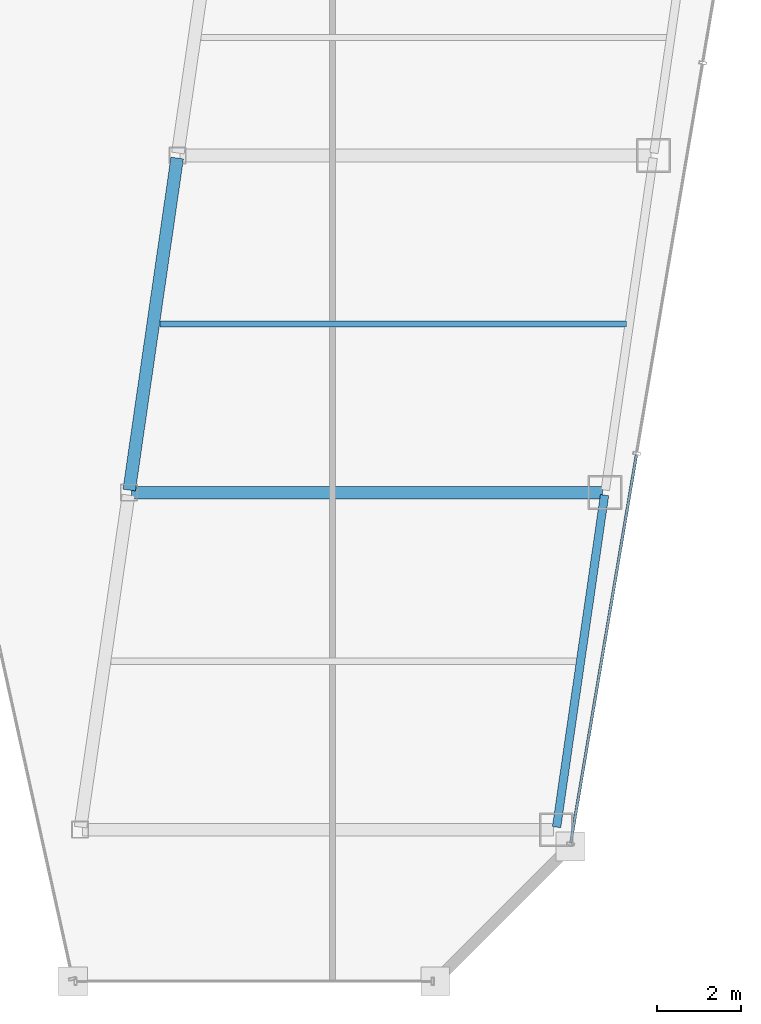
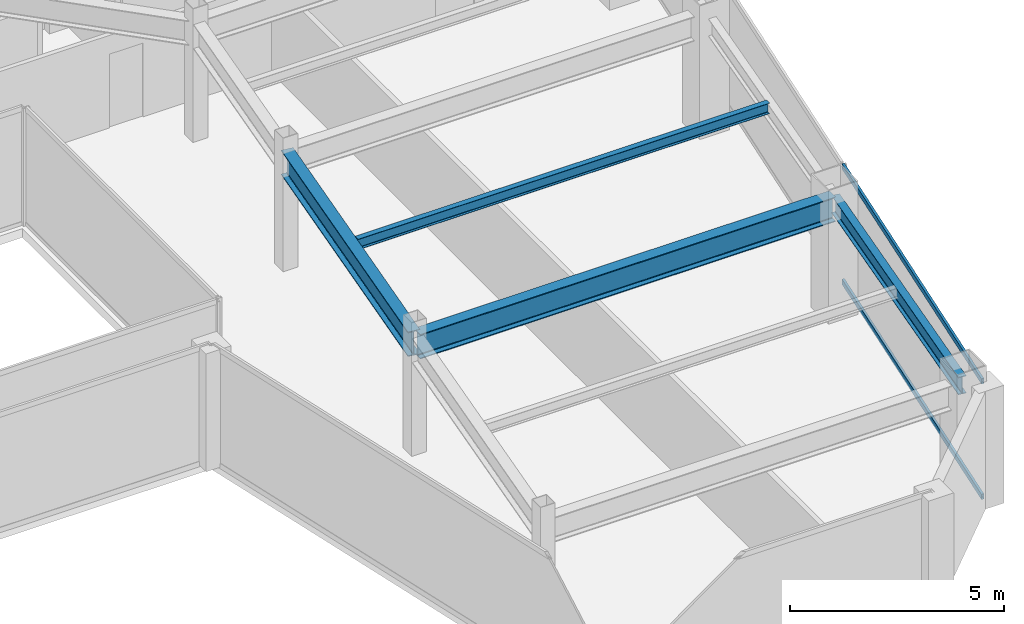
# One storey, part 17 of 34: 4 beams, 2 members, 1 element without a shape of its own.
"""IFC4 building model written with IfcOpenShell, lengths in metres."""

from ifc_helpers import new_model, si_unit, direction, frame, origin, origin_2d, place, context, subcontext, project, spatial, hollow_rectangle, i_section, extrude, material, material_profile, profile_set, type_object, element, aggregate, save


model = new_model("IFC4")

# Units and contexts
model_context = context("Model", 3, precision=1e-05, world=origin(), true_north=direction((0.0, 1.0)))
body_context = subcontext(model_context, "Body", "Model", "MODEL_VIEW")
ifc_project = project(units=[si_unit("LENGTHUNIT", "METRE"), si_unit("AREAUNIT", "SQUARE_METRE"), si_unit("VOLUMEUNIT", "CUBIC_METRE"), si_unit("PLANEANGLEUNIT", "RADIAN"), si_unit("MASSUNIT", "GRAM", prefix="KILO")], contexts=[model_context])

# Site, building, storey
site_placement = place(None, origin())
site = spatial("IfcSite", under=ifc_project, at=site_placement, CompositionType="ELEMENT")
building_placement = place(site_placement, origin())
building = spatial("IfcBuilding", under=site, at=building_placement, Name="Saevonmaru Cultural Tower", CompositionType="ELEMENT")
storey_placement = place(building_placement, frame((0.0, 0.0, 220.800048828125)))
storey = spatial("IfcBuildingStorey", under=building, at=storey_placement, Name="L51", CompositionType="ELEMENT", Elevation=220.800048828125)

# Beams
ifc_material_1 = material(Name="Steel SM355", Category="steel")
ifc_material_profile_1 = material_profile(ifc_material_1, i_section(OverallWidth=0.300048828125, OverallDepth=0.699951171875, WebThickness=0.012939453125, FlangeThickness=0.02392578125, FilletRadius=0.02587890625, at=origin_2d()), Name="H-700x300x13x24")
ifc_profile_set_1 = profile_set([ifc_material_profile_1], Name="Steel SM355")
beam_type_1 = type_object("IfcBeamType", Name="BM-G-H700", PredefinedType="BEAM", material=ifc_profile_set_1)
beam_1_placement = place(storey_placement, frame((39.236572265625, 24.059326171875, 3.0), z_axis=(0.142902032203, 0.989736838353, 0.0), x_axis=(-0.989736838353, 0.142902032203, 0.0)))
element("IfcBeam", 1, at=beam_1_placement, inside=storey, type_object=beam_type_1, Name="L51 East Atrium Girder 2", PredefinedType="BEAM", context=body_context, shape_type="SweptSolid", body=[
    extrude(i_section(OverallWidth=0.300048828125, OverallDepth=0.699951171875, WebThickness=0.012939453125, FlangeThickness=0.02392578125, FilletRadius=0.02587890625, at=origin_2d()), origin(), (0.0, 0.0, 1.0), 7.963134765625),
])
beam_2_placement = place(storey_placement, frame((39.2880859375, 24.0, 3.0), z_axis=(1.0, 0.0, 0.0), x_axis=(0.0, 1.0, 0.0)))
element("IfcBeam", 2, at=beam_2_placement, inside=storey, type_object=beam_type_1, Name="L51 East Wing Transverse Girder 2", PredefinedType="BEAM", context=body_context, shape_type="SweptSolid", body=[
    extrude(i_section(OverallWidth=0.300048828125, OverallDepth=0.699951171875, WebThickness=0.012939453125, FlangeThickness=0.02392578125, FilletRadius=0.02587890625, at=origin_2d()), origin(), (0.0, 0.0, 1.0), 11.179931640625),
])
ifc_material_profile_2 = material_profile(ifc_material_1, i_section(OverallWidth=0.14990234375, OverallDepth=0.300048828125, WebThickness=0.006591796875, FlangeThickness=0.009033203125, FilletRadius=0.012939453125, at=origin_2d()), Name="H-300x150x6.5x9")
ifc_profile_set_2 = profile_set([ifc_material_profile_2], Name="Steel SM355")
beam_type_2 = type_object("IfcBeamType", Name="BM-J-H300", PredefinedType="JOIST", material=ifc_profile_set_2)
beam_3_placement = place(storey_placement, frame((39.96337890625, 28.0, 3.199951171875), z_axis=(1.0, 0.0, 0.0), x_axis=(0.0, 1.0, 0.0)))
element("IfcBeam", 3, at=beam_3_placement, inside=storey, type_object=beam_type_2, Name="L51 East Wing Floor Joist 2", PredefinedType="JOIST", context=body_context, shape_type="SweptSolid", body=[
    extrude(i_section(OverallWidth=0.14990234375, OverallDepth=0.300048828125, WebThickness=0.006591796875, FlangeThickness=0.009033203125, FilletRadius=0.012939453125, at=origin_2d()), origin(), (0.0, 0.0, 1.0), 11.08203125),
])
ifc_material_profile_3 = material_profile(ifc_material_1, i_section(OverallWidth=0.199951171875, OverallDepth=0.5, WebThickness=0.010009765625, FlangeThickness=0.01611328125, FilletRadius=0.02001953125, at=origin_2d()), Name="H-500x200x10x16")
ifc_profile_set_3 = profile_set([ifc_material_profile_3], Name="Steel SM355")
beam_type_3 = type_object("IfcBeamType", Name="BM-SP-H500", PredefinedType="SPANDREL", material=ifc_profile_set_3)
beam_4_placement = place(storey_placement, frame((49.380615234375, 16.059326171875, 3.099853515625), z_axis=(0.142992129437, 0.989723825579, 0.0), x_axis=(-0.989723825579, 0.142992129437, 0.0)))
element("IfcBeam", 4, at=beam_4_placement, inside=storey, type_object=beam_type_3, Name="L51 East Splayed Spandrel 1", PredefinedType="SPANDREL", context=body_context, shape_type="SweptSolid", body=[
    extrude(i_section(OverallWidth=0.199951171875, OverallDepth=0.5, WebThickness=0.010009765625, FlangeThickness=0.01611328125, FilletRadius=0.02001953125, at=origin_2d()), origin(), (0.0, 0.0, 1.0), 7.963134765625),
])

# Curtain wall, members
ifc_material_2 = material(Name="Satin Bronze Anodised Aluminium", Category="aluminium")
curtain_wall_type = type_object("IfcCurtainWallType", Name="CW-TYP-B", PredefinedType="NOTDEFINED", material=ifc_material_2)
curtain_wall_placement = place(storey_placement, origin())
curtain_wall = element("IfcCurtainWall", 5, at=curtain_wall_placement, inside=storey, type_object=curtain_wall_type, Name="L51 Unitised Curtain Wall E8", PredefinedType="NOTDEFINED")
ifc_material_profile_4 = material_profile(ifc_material_2, hollow_rectangle(XDim=0.06494140625, YDim=0.14990234375, WallThickness=0.00390625, at=origin_2d()), Name="ALU-TRAN-150x65x4")
ifc_profile_set_4 = profile_set([ifc_material_profile_4], Name="Satin Bronze Anodised Aluminium")
member_type = type_object("IfcMemberType", Name="TR-CW-150x65", PredefinedType="USERDEFINED", material=ifc_profile_set_4)
member_1_placement = place(storey_placement, frame((49.717529296875, 15.691162109375, 0.032470703125), z_axis=(0.166921263871, 0.985970228591, 0.0), x_axis=(-0.985970228591, 0.166921263871, 0.0)))
member_1 = element("IfcMember", 6, at=member_1_placement, type_object=member_type, Name="CW-TW-L51-E8 transom 1.1", ObjectType="TRANSOM", PredefinedType="USERDEFINED", context=body_context, shape_type="SweptSolid", body=[
    extrude(hollow_rectangle(XDim=0.06494140625, YDim=0.14990234375, WallThickness=0.00390625, at=origin_2d()), origin(), (0.0, 0.0, 1.0), 9.33740234375),
])
member_2_placement = place(storey_placement, frame((49.717529296875, 15.691162109375, 3.3173828125), z_axis=(0.166921263871, 0.985970228591, 0.0), x_axis=(-0.985970228591, 0.166921263871, 0.0)))
member_2 = element("IfcMember", 7, at=member_2_placement, type_object=member_type, Name="CW-TW-L51-E8 transom 1.2", ObjectType="TRANSOM", PredefinedType="USERDEFINED", context=body_context, shape_type="SweptSolid", body=[
    extrude(hollow_rectangle(XDim=0.06494140625, YDim=0.14990234375, WallThickness=0.00390625, at=origin_2d()), origin(), (0.0, 0.0, 1.0), 9.33740234375),
])
aggregate(curtain_wall, [member_1, member_2])

save(model, "model.ifc")
